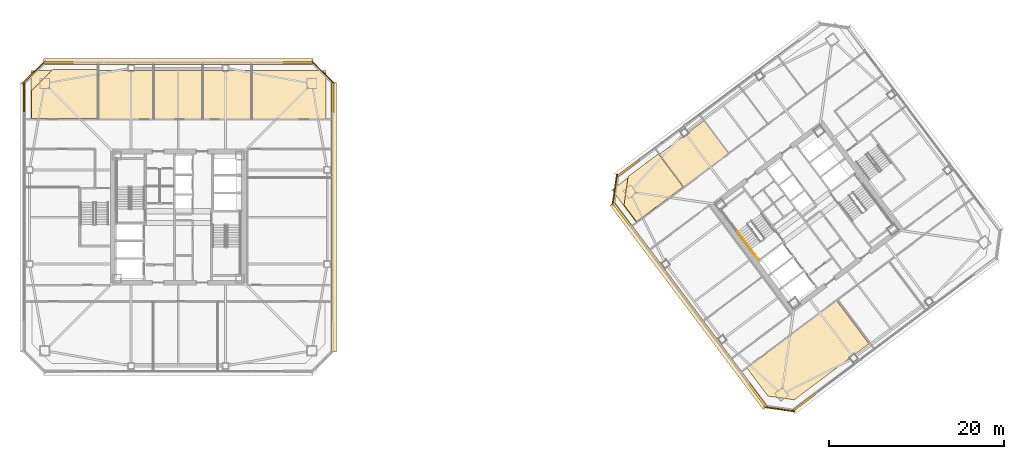
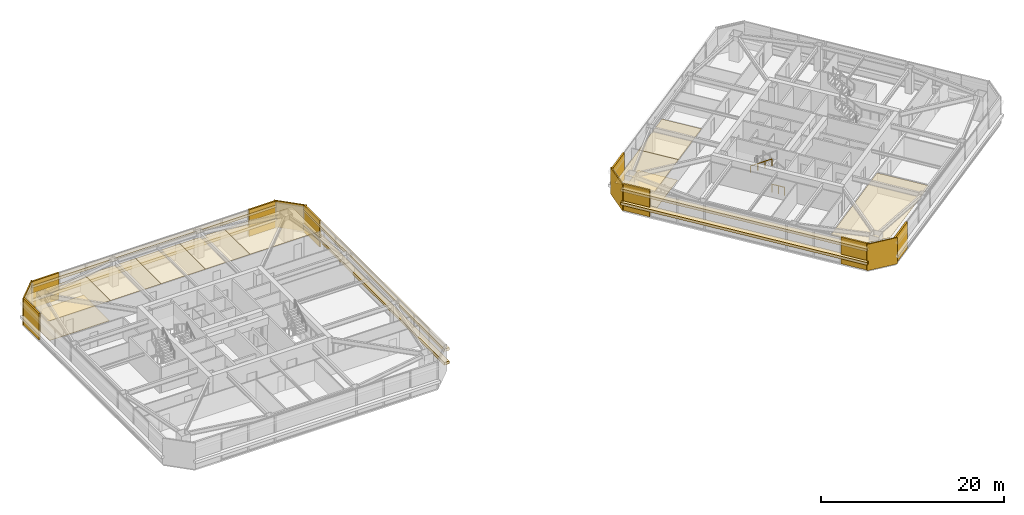
# One storey, part 40 of 43: 28 coverings, 2 railings.
"""IFC4 building model written with IfcOpenShell, lengths in metres."""

import ifcopenshell
import ifcopenshell.guid

model = None  # the IFC model being written
_history = None  # IfcOwnerHistory: only IFC2X3 demands one
_inside = {}  # id of a spatial element -> (the spatial element, [elements in it])
_under = {}  # id of a project, library or spatial element -> (it, [spatial elements below it])
_declared = {}  # id of a project -> (the project, [libraries it declares])
_typed = {}  # id of a type object -> (the type object, [elements of that type])
_made_of = {}  # id of a material, layer set ... -> (it, [elements and type objects made of it])


def new_model(schema):
    """Start an empty IFC model of exactly this schema.

    Asked for "IFC4X3", IfcOpenShell would pick the latest addendum, in which some entities
    have other attributes; the version numbers below select the first issue.
    IFC2X3 requires an IfcOwnerHistory on every rooted entity: one is made here for all.
    """
    global model, _history
    if schema == "IFC4X3":
        model = ifcopenshell.file(schema_version=(4, 3, 0, 0))
    else:
        model = ifcopenshell.file(schema=schema)
    _inside.clear()
    _under.clear()
    _declared.clear()
    _typed.clear()
    _made_of.clear()
    _history = None
    if model.schema == "IFC2X3":
        org = make("IfcOrganization", Name="unknown")
        user = make(
            "IfcPersonAndOrganization",
            ThePerson=make("IfcPerson", FamilyName="unknown"),
            TheOrganization=org,
        )
        app = make(
            "IfcApplication",
            ApplicationDeveloper=org,
            Version="unknown",
            ApplicationFullName="unknown",
            ApplicationIdentifier="unknown",
        )
        _history = make(
            "IfcOwnerHistory",
            OwningUser=user,
            OwningApplication=app,
            ChangeAction="ADDED",
            CreationDate=0,
        )
    return model


def make(cls, **values):
    """One entity of the class cls with the attributes given. An attribute that is None is left unset."""
    return model.create_entity(
        cls, **{name: value for name, value in values.items() if value is not None}
    )


def rooted(cls, **values):
    """An entity with a GlobalId (a new one), such as an element, a storey or a relation."""
    return make(cls, GlobalId=ifcopenshell.guid.new(), OwnerHistory=_history, **values)


def si_unit(unit_type, name, prefix=None):
    """IfcSIUnit, for example si_unit("LENGTHUNIT", "METRE", prefix="MILLI")."""
    return make("IfcSIUnit", UnitType=unit_type, Prefix=prefix, Name=name)


def assignment(units):
    """IfcUnitAssignment: the units of a project."""
    return None if units is None else make("IfcUnitAssignment", Units=units)


def point(xyz):
    """IfcCartesianPoint."""
    return None if xyz is None else make("IfcCartesianPoint", Coordinates=xyz)


def direction(xyz):
    """IfcDirection."""
    return None if xyz is None else make("IfcDirection", DirectionRatios=xyz)


def frame(location, z_axis=None, x_axis=None):
    """IfcAxis2Placement3D, a coordinate frame: its origin and axes. An axis left out is left unset."""
    return make(
        "IfcAxis2Placement3D",
        Location=point(location),
        Axis=direction(z_axis),
        RefDirection=direction(x_axis),
    )


def frame_2d(location, x_axis=None):
    """IfcAxis2Placement2D, a coordinate frame in the plane: its origin and x axis."""
    return make(
        "IfcAxis2Placement2D", Location=point(location), RefDirection=direction(x_axis)
    )


def origin():
    """The frame at (0, 0, 0) with its axes left unset."""
    return frame((0.0, 0.0, 0.0))


def origin_2d():
    """The frame at (0, 0) in the plane with its x axis left unset."""
    return frame_2d((0.0, 0.0))


def place(relative_to, where):
    """IfcLocalPlacement: puts the frame where relative to a parent placement (None: the world)."""
    return make(
        "IfcLocalPlacement", PlacementRelTo=relative_to, RelativePlacement=where
    )


def context(
    kind, dimensions, precision=None, world=None, true_north=None, identifier=None
):
    """IfcGeometricRepresentationContext, for example the 3D "Model" context."""
    return make(
        "IfcGeometricRepresentationContext",
        ContextIdentifier=identifier,
        ContextType=kind,
        CoordinateSpaceDimension=dimensions,
        Precision=precision,
        WorldCoordinateSystem=world,
        TrueNorth=true_north,
    )


def subcontext(parent, identifier, kind, view, scale=None):
    """IfcGeometricRepresentationSubContext, for example "Body" below "Model"."""
    return make(
        "IfcGeometricRepresentationSubContext",
        ContextIdentifier=identifier,
        ContextType=kind,
        ParentContext=parent,
        TargetScale=scale,
        TargetView=view,
    )


def project(units=None, contexts=None):
    """IfcProject with its units and contexts."""
    return rooted(
        "IfcProject",
        Name="project",
        RepresentationContexts=contexts,
        UnitsInContext=assignment(units),
    )


def spatial(cls, under=None, at=None, **own):
    """A site, building, storey or space (cls), placed at a placement, below another one or the project."""
    s = rooted(cls, ObjectPlacement=at, **own)
    if under is not None:
        _under.setdefault(under.id(), (under, []))[1].append(s)
    return s


def polyline(points):
    """IfcPolyline through the points."""
    return make("IfcPolyline", Points=[point(p) for p in points])


def profile(cls, at=None, kind="AREA", **sizes):
    """A parametric profile (cls). Its sizes go by their IFC names, for example OverallWidth=200.0."""
    return make(cls, ProfileType=kind, Position=at, **sizes)


def rectangle(**sizes):
    """IfcRectangleProfileDef."""
    return profile("IfcRectangleProfileDef", **sizes)


def outline(outer, holes=None, kind="AREA"):
    """IfcArbitraryClosedProfileDef: a profile drawn as a closed curve; with holes, ...WithVoids."""
    if holes is None:
        return make("IfcArbitraryClosedProfileDef", ProfileType=kind, OuterCurve=outer)
    return make(
        "IfcArbitraryProfileDefWithVoids",
        ProfileType=kind,
        OuterCurve=outer,
        InnerCurves=holes,
    )


def extrude(swept, where, along, depth):
    """IfcExtrudedAreaSolid: the profile swept, set in the frame where, extruded along a direction by depth."""
    return make(
        "IfcExtrudedAreaSolid",
        SweptArea=swept,
        Position=where,
        ExtrudedDirection=direction(along),
        Depth=depth,
    )


def shape(context_of_items, identifier, shape_type, items):
    """IfcShapeRepresentation: the items that make up one representation, for example the "Body"."""
    return make(
        "IfcShapeRepresentation",
        ContextOfItems=context_of_items,
        RepresentationIdentifier=identifier,
        RepresentationType=shape_type,
        Items=items,
    )


def material(Name=None, Category=None):
    """IfcMaterial."""
    return make("IfcMaterial", Name=Name, Category=Category)


def layer(
    of_material, thickness, ventilated=None, Name=None, Category=None, Priority=None
):
    """IfcMaterialLayer: one layer of a wall or slab, of a material (None: an air gap)."""
    return make(
        "IfcMaterialLayer",
        Material=of_material,
        LayerThickness=thickness,
        IsVentilated=ventilated,
        Name=Name,
        Category=Category,
        Priority=Priority,
    )


def layer_set(layers, Name=None):
    """IfcMaterialLayerSet."""
    return make("IfcMaterialLayerSet", MaterialLayers=layers, LayerSetName=Name)


def made_of(thing, what):
    """Note that an element or type object is made of a material, layer set ...; save() writes the relation."""
    if what is not None:
        _made_of.setdefault(what.id(), (what, []))[1].append(thing)
    return thing


def type_object(cls, material=None, **own):
    """A type object (cls), such as IfcWallType, which elements share."""
    return made_of(rooted(cls, **own), material)


def element(
    cls,
    number,
    at=None,
    inside=None,
    cuts=None,
    type_object=None,
    material=None,
    context=None,
    identifier="Body",
    shape_type=None,
    held_by="IfcProductDefinitionShape",
    body=None,
    shapes=None,
    **own,
):
    """One element of the class cls, such as IfcWall. Its Tag is "e" and its number.

    at: its placement. inside: the storey or other place that contains it. cuts: it is an
    opening in that element (IfcRelVoidsElement). A single representation is given by context,
    identifier, shape_type and body (its items); several are given by shapes. held_by: the class
    of the entity that holds the representations. save() writes the other relations.
    """
    e = rooted(cls, Tag="e%d" % number, ObjectPlacement=at, **own)
    if body is not None:
        shapes = [shape(context, identifier, shape_type, body)]
    if shapes is not None:
        e.Representation = make(held_by, Representations=shapes)
    if inside is not None:
        _inside.setdefault(inside.id(), (inside, []))[1].append(e)
    if cuts is not None:
        rooted(
            "IfcRelVoidsElement", RelatingBuildingElement=cuts, RelatedOpeningElement=e
        )
    if type_object is not None:
        _typed.setdefault(type_object.id(), (type_object, []))[1].append(e)
    return made_of(e, material)


def aggregate(whole, parts):
    """IfcRelAggregates: a whole, such as a stair, and the parts it consists of."""
    return rooted("IfcRelAggregates", RelatingObject=whole, RelatedObjects=parts)


def save(model, path):
    """Write the relations noted so far, then the file.

    IfcRelAggregates (storeys below a building ...), IfcRelContainedInSpatialStructure (elements
    in a storey), IfcRelDefinesByType, IfcRelAssociatesMaterial and IfcRelDeclares: one each for
    every whole, place, type object, material and project.
    """
    for whole, parts in _under.values():
        aggregate(whole, parts)
    for where, things in _inside.values():
        rooted(
            "IfcRelContainedInSpatialStructure",
            RelatedElements=things,
            RelatingStructure=where,
        )
    for kind, things in _typed.values():
        rooted("IfcRelDefinesByType", RelatedObjects=things, RelatingType=kind)
    for what, things in _made_of.values():
        rooted("IfcRelAssociatesMaterial", RelatedObjects=things, RelatingMaterial=what)
    for by, libraries in _declared.values():
        rooted("IfcRelDeclares", RelatingContext=by, RelatedDefinitions=libraries)
    model.write(path)


model = new_model("IFC4")

# Units and contexts
model_context = context("Model", 3, precision=1e-05, world=origin(), true_north=direction((0.0, 1.0)))
body_context = subcontext(model_context, "Body", "Model", "MODEL_VIEW")
ifc_project = project(units=[si_unit("LENGTHUNIT", "METRE"), si_unit("AREAUNIT", "SQUARE_METRE"), si_unit("VOLUMEUNIT", "CUBIC_METRE"), si_unit("PLANEANGLEUNIT", "RADIAN"), si_unit("MASSUNIT", "GRAM", prefix="KILO")], contexts=[model_context])

# Site, building, storey
site_placement = place(None, origin())
site = spatial("IfcSite", under=ifc_project, at=site_placement, CompositionType="ELEMENT")
building_placement = place(site_placement, origin())
building = spatial("IfcBuilding", under=site, at=building_placement, Name="Tashvorn Skyway Center", CompositionType="ELEMENT")
storey_placement = place(building_placement, frame((0.0, 0.0, 160.550048828125)))
storey = spatial("IfcBuildingStorey", under=building, at=storey_placement, Name="L43", CompositionType="ELEMENT", Elevation=160.550048828125)

# Coverings
ifc_material_1 = material(Name="Precast concrete C40/50", Category="concrete")
ifc_layer_1 = layer(ifc_material_1, 0.199951171875)
ifc_layer_set_1 = layer_set([ifc_layer_1], Name="Precast concrete C40/50")
covering_type_1 = type_object("IfcCoveringType", Name="COV-BRACE-CLAD", PredefinedType="CLADDING", material=ifc_layer_set_1)
for number, where, z_axis, x_axis, name in (
    (1, (24.320068359375, 45.671142578125, 0.0), (0.0, 0.0, 1.0), (0.0, 1.0, 0.0), "Tower 1 L43 West Unitised Curtain Wall Mega-Brace Cladding Band 2"),
    (2, (28.328857421875, 49.679931640625, 0.0), (0.0, 0.0, 1.0), (1.0, 0.0, 0.0), "Tower 1 L43 North Unitised Curtain Wall Mega-Brace Cladding Band 1"),
    (3, (55.671142578125, 49.679931640625, 0.0), (0.0, 0.0, 1.0), (1.0, 0.0, 0.0), "Tower 1 L43 North Unitised Curtain Wall Mega-Brace Cladding Band 2"),
    (4, (59.679931640625, 45.671142578125, 0.0), (0.0, 0.0, 1.0), (0.0, -1.0, 0.0), "Tower 1 L43 East Unitised Curtain Wall Mega-Brace Cladding Band 1"),
):
    element("IfcCovering", number, at=place(storey_placement, frame(where, z_axis=z_axis, x_axis=x_axis)), inside=storey, type_object=covering_type_1, Name=name, PredefinedType="CLADDING", context=body_context, shape_type="SweptSolid", body=[
        extrude(rectangle(XDim=3.417724609375, YDim=0.199951171875, at=origin_2d()), origin(), (0.0, 0.0, 1.0), 3.550048828125),
    ])
for number, where, z_axis, x_axis, name in (
    (5, (113.699951171875, 10.800048828125, 0.0), (0.0, 0.0, 1.0), (-0.799999996291, -0.600000004945, 0.0), "Tower 2 L43 South Unitised Curtain Wall Mega-Brace Cladding Band 2"),
    (6, (108.35205078125, 11.56396484375, 0.0), (0.0, 0.0, 1.0), (-0.600000004945, 0.799999996291, 0.0), "Tower 2 L43 West Unitised Curtain Wall Mega-Brace Cladding Band 1"),
    (7, (92.800048828125, 32.300048828125, 0.0), (0.0, 0.0, 1.0), (-0.600000004945, 0.799999996291, 0.0), "Tower 2 L43 West Unitised Curtain Wall Mega-Brace Cladding Band 2"),
    (8, (93.56396484375, 37.64794921875, 0.0), (0.0, 0.0, 1.0), (0.799999996291, 0.600000004945, 0.0), "Tower 2 L43 North Unitised Curtain Wall Mega-Brace Cladding Band 1"),
):
    element("IfcCovering", number, at=place(storey_placement, frame(where, z_axis=z_axis, x_axis=x_axis)), inside=storey, type_object=covering_type_1, Name=name, PredefinedType="CLADDING", context=body_context, shape_type="SweptSolid", body=[
        extrude(rectangle(XDim=3.239990234375, YDim=0.199951171875, at=origin_2d()), origin(), (0.0, 0.0, 1.0), 3.550048828125),
    ])
ifc_material_2 = material(Name="Mineral-fibre acoustic ceiling tile on suspended grid")
ifc_layer_2 = layer(ifc_material_2, 0.02001953125)
ifc_layer_set_2 = layer_set([ifc_layer_2], Name="Mineral-fibre acoustic ceiling tile on suspended grid")
covering_type_2 = type_object("IfcCoveringType", Name="COV-CEIL-20", PredefinedType="CEILING", material=ifc_layer_set_2)
covering_1_placement = place(storey_placement, frame((0.0, 0.0, 2.702880859375)))
element("IfcCovering", 9, at=covering_1_placement, inside=storey, type_object=covering_type_2, Name="Tower 1 L43 Research Library Acoustic Ceiling", PredefinedType="CEILING", context=body_context, shape_type="SweptSolid", body=[
    extrude(outline(polyline([(25.10009765625, 43.199951171875), (32.800048828125, 43.199951171875), (32.800048828125, 48.800048828125), (25.10009765625, 48.800048828125), (25.10009765625, 43.199951171875)])), origin(), (0.0, 0.0, 1.0), 0.02001953125),
])
covering_2_placement = place(storey_placement, frame((0.0, 0.0, 2.702880859375)))
element("IfcCovering", 10, at=covering_2_placement, inside=storey, type_object=covering_type_2, Name="Tower 1 L43 Research Library Acoustic Ceiling", PredefinedType="CEILING", context=body_context, shape_type="SweptSolid", body=[
    extrude(outline(polyline([(32.800048828125, 43.199951171875), (39.199951171875, 43.199951171875), (39.199951171875, 48.800048828125), (32.800048828125, 48.800048828125), (32.800048828125, 43.199951171875)])), origin(), (0.0, 0.0, 1.0), 0.02001953125),
])
covering_3_placement = place(storey_placement, frame((0.0, 0.0, 2.702880859375)))
element("IfcCovering", 11, at=covering_3_placement, inside=storey, type_object=covering_type_2, Name="Tower 1 L43 Staff Fitness Club Acoustic Ceiling", PredefinedType="CEILING", context=body_context, shape_type="SweptSolid", body=[
    extrude(outline(polyline([(39.199951171875, 43.199951171875), (44.800048828125, 43.199951171875), (44.800048828125, 48.800048828125), (39.199951171875, 48.800048828125), (39.199951171875, 43.199951171875)])), origin(), (0.0, 0.0, 1.0), 0.02001953125),
])
covering_4_placement = place(storey_placement, frame((0.0, 0.0, 2.702880859375)))
element("IfcCovering", 12, at=covering_4_placement, inside=storey, type_object=covering_type_2, Name="Tower 1 L43 Research Library Acoustic Ceiling", PredefinedType="CEILING", context=body_context, shape_type="SweptSolid", body=[
    extrude(outline(polyline([(44.800048828125, 43.199951171875), (50.39990234375, 43.199951171875), (50.39990234375, 48.800048828125), (44.800048828125, 48.800048828125), (44.800048828125, 43.199951171875)])), origin(), (0.0, 0.0, 1.0), 0.02001953125),
])
covering_5_placement = place(storey_placement, frame((0.0, 0.0, 2.702880859375)))
element("IfcCovering", 13, at=covering_5_placement, inside=storey, type_object=covering_type_2, Name="Tower 1 L43 Research Library Acoustic Ceiling", PredefinedType="CEILING", context=body_context, shape_type="SweptSolid", body=[
    extrude(outline(polyline([(50.39990234375, 43.199951171875), (58.89990234375, 43.199951171875), (58.89990234375, 48.800048828125), (50.39990234375, 48.800048828125), (50.39990234375, 43.199951171875)])), origin(), (0.0, 0.0, 1.0), 0.02001953125),
])
covering_6_placement = place(storey_placement, frame((0.0, 0.0, 2.702880859375)))
element("IfcCovering", 14, at=covering_6_placement, inside=storey, type_object=covering_type_2, Name="Tower 2 L43 Research Library Acoustic Ceiling", PredefinedType="CEILING", context=body_context, shape_type="SweptSolid", body=[
    extrude(outline(polyline([(94.47998046875, 31.360107421875), (99.919921875, 35.43994140625), (97.10009765625, 39.199951171875), (91.659912109375, 35.1201171875), (94.47998046875, 31.360107421875)])), origin(), (0.0, 0.0, 1.0), 0.02001953125),
])
covering_7_placement = place(storey_placement, frame((0.0, 0.0, 2.702880859375)))
element("IfcCovering", 15, at=covering_7_placement, inside=storey, type_object=covering_type_2, Name="Tower 2 L43 Research Library Acoustic Ceiling", PredefinedType="CEILING", context=body_context, shape_type="SweptSolid", body=[
    extrude(outline(polyline([(99.919921875, 35.43994140625), (105.0400390625, 39.280029296875), (102.219970703125, 43.0400390625), (97.10009765625, 39.199951171875), (99.919921875, 35.43994140625)])), origin(), (0.0, 0.0, 1.0), 0.02001953125),
])
covering_8_placement = place(storey_placement, frame((0.0, 0.0, 2.702880859375)))
element("IfcCovering", 16, at=covering_8_placement, inside=storey, type_object=covering_type_2, Name="Tower 2 L43 Research Library Acoustic Ceiling", PredefinedType="CEILING", context=body_context, shape_type="SweptSolid", body=[
    extrude(outline(polyline([(107.1220703125, 14.7041015625), (117.409912109375, 22.419921875), (121.112060546875, 17.48388671875), (112.552001953125, 11.06396484375), (109.528076171875, 11.49609375), (107.1220703125, 14.7041015625)])), origin(), (0.0, 0.0, 1.0), 0.02001953125),
])
ifc_material_3 = material(Name="Polished Mojave desert-aggregate terrazzo and cover plate")
ifc_layer_3 = layer(ifc_material_3, 0.0400390625)
ifc_layer_set_3 = layer_set([ifc_layer_3], Name="Polished Mojave desert-aggregate terrazzo and cover plate")
covering_type_3 = type_object("IfcCoveringType", Name="COV-FLR-40", PredefinedType="FLOORING", material=ifc_layer_set_3)
covering_9_placement = place(storey_placement, origin())
element("IfcCovering", 17, at=covering_9_placement, inside=storey, type_object=covering_type_3, Name="Tower 1 L43 Research Library Finish Flooring", PredefinedType="FLOORING", context=body_context, shape_type="SweptSolid", body=[
    extrude(outline(polyline([(32.719970703125, 43.280029296875), (25.179931640625, 43.280029296875), (25.179931640625, 46.47998046875), (27.60009765625, 48.89990234375), (32.719970703125, 48.89990234375), (32.719970703125, 43.280029296875)])), origin(), (0.0, 0.0, 1.0), 0.0400390625),
])
covering_10_placement = place(storey_placement, origin())
element("IfcCovering", 18, at=covering_10_placement, inside=storey, type_object=covering_type_3, Name="Tower 2 L43 Research Library Finish Flooring", PredefinedType="FLOORING", context=body_context, shape_type="SweptSolid", body=[
    extrude(outline(polyline([(99.80810546875, 35.4560546875), (94.49609375, 31.471923828125), (93.055908203125, 33.39208984375), (93.52001953125, 36.639892578125), (96.97607421875, 39.23193359375), (99.80810546875, 35.4560546875)])), origin(), (0.0, 0.0, 1.0), 0.0400390625),
])
ifc_material_4 = material(Name="Perforated ceramic-coated bronze aluminium solar screen", Category="aluminium")
ifc_layer_4 = layer(ifc_material_4, 0.85009765625)
ifc_layer_set_4 = layer_set([ifc_layer_4], Name="Perforated ceramic-coated bronze aluminium solar screen")
covering_type_4 = type_object("IfcCoveringType", Name="COV-SOLAR-BAND", PredefinedType="CLADDING", material=ifc_layer_set_4)
for number, where, z_axis, x_axis, name in (
    (19, (42.0, 49.820068359375, 0.919921875), (0.0, 0.0, 1.0), (1.0, 0.0, 0.0), "L43 Perforated Ceramic-Metal Solar Screen Louvre Band North 1"),
    (20, (42.0, 49.820068359375, 2.7197265625), (0.0, 0.0, 1.0), (1.0, 0.0, 0.0), "L43 Perforated Ceramic-Metal Solar Screen Louvre Band North 2"),
    (21, (59.820068359375, 32.0, 0.919921875), (0.0, 0.0, 1.0), (0.0, -1.0, 0.0), "L43 Perforated Ceramic-Metal Solar Screen Louvre Band East 1"),
    (22, (59.820068359375, 32.0, 2.7197265625), (0.0, 0.0, 1.0), (0.0, -1.0, 0.0), "L43 Perforated Ceramic-Metal Solar Screen Louvre Band East 2"),
):
    element("IfcCovering", number, at=place(storey_placement, frame(where, z_axis=z_axis, x_axis=x_axis)), inside=storey, type_object=covering_type_4, Name=name, PredefinedType="CLADDING", context=body_context, shape_type="SweptSolid", body=[
        extrude(rectangle(XDim=30.8798828125, YDim=0.639892578125, at=origin_2d()), origin(), (0.0, 0.0, 1.0), 0.360107421875),
    ])
for number, where, z_axis, x_axis, name in (
    (23, (100.464111328125, 21.847900390625, 0.919921875), (0.0, 0.0, 1.0), (-0.600000004945, 0.799999996291, 0.0), "L43 Perforated Ceramic-Metal Solar Screen Louvre Band West 1"),
    (24, (100.464111328125, 21.847900390625, 2.7197265625), (0.0, 0.0, 1.0), (-0.600000004945, 0.799999996291, 0.0), "L43 Perforated Ceramic-Metal Solar Screen Louvre Band West 2"),
):
    element("IfcCovering", number, at=place(storey_placement, frame(where, z_axis=z_axis, x_axis=x_axis)), inside=storey, type_object=covering_type_4, Name=name, PredefinedType="CLADDING", context=body_context, shape_type="SweptSolid", body=[
        extrude(rectangle(XDim=29.280029296875, YDim=0.639892578125, at=origin_2d()), origin(), (0.0, 0.0, 1.0), 0.360107421875),
    ])
ifc_layer_5 = layer(ifc_material_1, 0.35009765625)
ifc_layer_set_5 = layer_set([ifc_layer_5], Name="Precast concrete C40/50")
covering_type_5 = type_object("IfcCoveringType", Name="COV-STONE-TRIM", PredefinedType="CLADDING", material=ifc_layer_set_5)
for number, where, z_axis, x_axis, name in (
    (25, (25.429931640625, 48.570068359375, 0.02001953125), (0.0, 0.0, 1.0), (-0.707106781187, -0.707106781187, 0.0), "Tower 1 L43 NW Mojave Limestone Corner Quoin"),
    (26, (58.570068359375, 48.570068359375, 0.02001953125), (0.0, 0.0, 1.0), (0.707106781187, -0.707106781187, 0.0), "Tower 1 L43 NE Mojave Limestone Corner Quoin"),
):
    element("IfcCovering", number, at=place(storey_placement, frame(where, z_axis=z_axis, x_axis=x_axis)), inside=storey, type_object=covering_type_5, Name=name, PredefinedType="CLADDING", context=body_context, shape_type="SweptSolid", body=[
        extrude(rectangle(XDim=3.695556640625, YDim=0.139892578125, at=origin_2d()), origin(), (0.0, 0.0, 1.0), 3.510009765625),
    ])
for number, where, z_axis, x_axis, name in (
    (27, (110.85595703125, 9.991943359375, 0.02001953125), (0.0, 0.0, 1.0), (-0.989949494535, 0.141421350118, 0.0), "Tower 2 L43 SW Mojave Limestone Corner Quoin"),
    (28, (91.991943359375, 35.14404296875, 0.02001953125), (0.0, 0.0, 1.0), (-0.141421350118, -0.989949494535, 0.0), "Tower 2 L43 NW Mojave Limestone Corner Quoin"),
):
    element("IfcCovering", number, at=place(storey_placement, frame(where, z_axis=z_axis, x_axis=x_axis)), inside=storey, type_object=covering_type_5, Name=name, PredefinedType="CLADDING", context=body_context, shape_type="SweptSolid", body=[
        extrude(rectangle(XDim=3.55419921875, YDim=0.139892578125, at=origin_2d()), origin(), (0.0, 0.0, 1.0), 3.510009765625),
    ])

# Railings
ifc_material_5 = material(Name="Brushed stainless steel 316", Category="steel")
railing_type_1 = type_object("IfcRailingType", Name="RAIL-HAND-920", PredefinedType="HANDRAIL", material=ifc_material_5)
railing_1_placement = place(storey_placement, frame((106.072021484375, 30.35400390625, 1.952392578125)))
element("IfcRailing", 29, at=railing_1_placement, inside=storey, type_object=railing_type_1, Name="L43 ST-T2-1 stair handrail 2", PredefinedType="HANDRAIL", context=body_context, shape_type="SweptSolid", body=[
    extrude(rectangle(XDim=0.048095703125, YDim=0.048095703125, at=origin_2d()), frame((0.0, 0.0, 0.8759765625), z_axis=(0.506718600913, -0.675679348675, 0.535437836974), x_axis=(0.800023250257, 0.599968998406, 0.0)), (0.0, 0.0, 1.0), 2.98388671875),
    extrude(rectangle(XDim=0.0419921875, YDim=0.0419921875, at=origin_2d()), origin(), (0.0, 0.0, 1.0), 0.851806640625),
    extrude(rectangle(XDim=0.0419921875, YDim=0.0419921875, at=origin_2d()), frame((0.50390625, -0.672119140625, 0.532470703125)), (0.0, 0.0, 1.0), 0.851806640625),
    extrude(rectangle(XDim=0.0419921875, YDim=0.0419921875, at=origin_2d()), frame((1.008056640625, -1.343994140625, 1.065185546875)), (0.0, 0.0, 1.0), 0.851806640625),
    extrude(rectangle(XDim=0.0419921875, YDim=0.0419921875, at=origin_2d()), frame((1.511962890625, -2.01611328125, 1.59765625)), (0.0, 0.0, 1.0), 0.851806640625),
])
ifc_material_6 = material(Name="Painted galvanized steel S355", Category="steel")
railing_type_2 = type_object("IfcRailingType", Name="RAIL-STGUARD-1100", PredefinedType="GUARDRAIL", material=ifc_material_6)
railing_2_placement = place(storey_placement, frame((108.49609375, 27.1220703125, 0.0)))
element("IfcRailing", 30, at=railing_2_placement, inside=storey, type_object=railing_type_2, Name="L43 ST-T2-1 stair guard 6", PredefinedType="GUARDRAIL", context=body_context, shape_type="SweptSolid", body=[
    extrude(rectangle(XDim=0.048095703125, YDim=0.048095703125, at=origin_2d()), frame((0.0, 0.0, 1.076171875), z_axis=(-0.600102796382, 0.799922892393, 0.0), x_axis=(-0.799922892393, -0.600102796382, 0.0)), (0.0, 0.0, 1.0), 1.52001953125),
    extrude(rectangle(XDim=0.0419921875, YDim=0.0419921875, at=origin_2d()), origin(), (0.0, 0.0, 1.0), 1.052001953125),
    extrude(rectangle(XDim=0.0419921875, YDim=0.0419921875, at=origin_2d()), frame((-0.4560546875, 0.60791015625, 0.0)), (0.0, 0.0, 1.0), 1.052001953125),
    extrude(rectangle(XDim=0.0419921875, YDim=0.0419921875, at=origin_2d()), frame((-0.912109375, 1.2158203125, 0.0)), (0.0, 0.0, 1.0), 1.052001953125),
])

save(model, "model.ifc")
